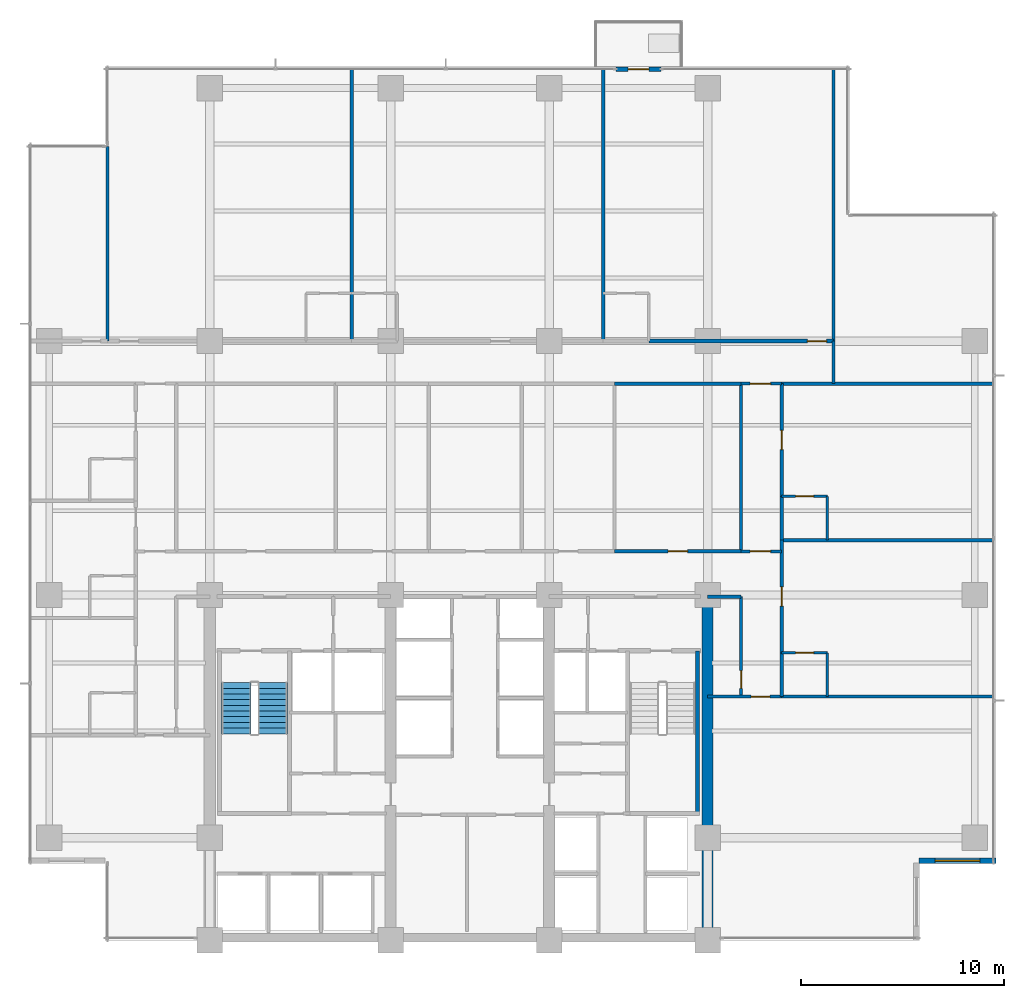
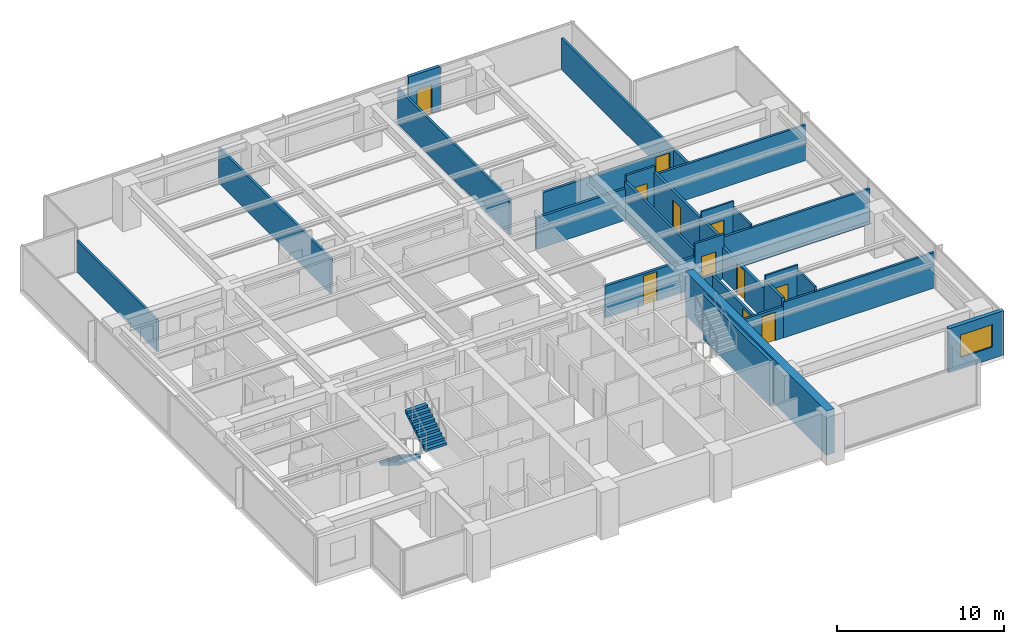
# One storey, part 11 of 17: 29 walls, 11 doors, 2 stair flights, 1 window, 12 openings, 1 element without a shape of its own.
"""IFC4 building model written with IfcOpenShell, lengths in metres."""

from ifc_helpers import new_model, si_unit, direction, frame, frame_2d, origin, place, context, subcontext, project, spatial, polyline, rectangle, outline, extrude, material, layer, layer_set, type_object, element, fill, aggregate, save


model = new_model("IFC4")

# Units and contexts
model_context = context("Model", 3, precision=1e-05, world=origin(), true_north=direction((0.0, 1.0)))
body_context = subcontext(model_context, "Body", "Model", "MODEL_VIEW")
ifc_project = project(units=[si_unit("LENGTHUNIT", "METRE"), si_unit("AREAUNIT", "SQUARE_METRE"), si_unit("VOLUMEUNIT", "CUBIC_METRE"), si_unit("PLANEANGLEUNIT", "RADIAN"), si_unit("MASSUNIT", "GRAM", prefix="KILO")], contexts=[model_context])

# Site, building, storey
site_placement = place(None, origin())
site = spatial("IfcSite", under=ifc_project, at=site_placement, CompositionType="ELEMENT")
building_placement = place(site_placement, origin())
building = spatial("IfcBuilding", under=site, at=building_placement, Name="Qalmaran Belvedere Hotel", CompositionType="ELEMENT")
storey_placement = place(building_placement, frame((0.0, 0.0, 112.699951171875)))
storey = spatial("IfcBuildingStorey", under=building, at=storey_placement, Name="L28", CompositionType="ELEMENT", Elevation=112.699951171875)

# Wall, opening, door
ifc_material_1 = material(Name="Anodised Bronze Cladding")
ifc_layer_1 = layer(ifc_material_1, 0.22509765625, Name="Anodised Bronze Cladding")
ifc_layer_set_1 = layer_set([ifc_layer_1], Name="Anodised Bronze Cladding")
wall_type_1 = type_object("IfcWallType", Name="WL-BAL-PORT-225", PredefinedType="SOLIDWALL", material=ifc_layer_set_1)
wall_1_placement = place(storey_placement, frame((40.300048828125, 46.3798828125, 0.0), z_axis=(0.0, 0.0, 1.0), x_axis=(1.0, 0.0, 0.0)))
wall_1 = element("IfcWall", 1, at=wall_1_placement, inside=storey, type_object=wall_type_1, Name="L28 Tree Balcony Door Portal", PredefinedType="SOLIDWALL", context=body_context, shape_type="SweptSolid", body=[
    extrude(rectangle(XDim=2.199951171875, YDim=0.22509765625, at=frame_2d((1.10009765625, 0.0))), origin(), (0.0, 0.0, 1.0), 3.239990234375),
])
opening_1_placement = place(wall_1_placement, frame((0.590087890625, 0.0, 0.0)))
opening_1 = element("IfcOpeningElement", 2, at=opening_1_placement, cuts=wall_1, Name="Opening BL-102", PredefinedType="OPENING", context=body_context, shape_type="SweptSolid", body=[
    extrude(rectangle(XDim=1.02001953125, YDim=2.10009765625, at=frame_2d((0.510009765625, 1.050048828125))), frame((0.0, 0.12255859375, 0.0), z_axis=(0.0, -1.0, 0.0), x_axis=(1.0, 0.0, 0.0)), (0.0, 0.0, 1.0), 0.2451171875),
])
ifc_material_2 = material(Name="Anodised Bronze Aluminium", Category="aluminium")
door_type_1 = type_object("IfcDoorType", Name="DR-BAL-1020X2100", OperationType="NOTDEFINED", PredefinedType="DOOR", material=ifc_material_2)
door_1_placement = place(opening_1_placement, origin())
door_1 = element("IfcDoor", 3, at=door_1_placement, inside=storey, type_object=door_type_1, Name="L28 Planted Tree Balcony Door", OperationType="SINGLE_SWING_LEFT", OverallHeight=2.10009765625, OverallWidth=1.02001953125, PredefinedType="DOOR", context=body_context, shape_type="SweptSolid", body=[
    extrude(rectangle(XDim=1.02001953125, YDim=2.10009765625, at=frame_2d((0.510009765625, 1.050048828125))), frame((0.0, 0.02490234375, 0.0), z_axis=(0.0, -1.0, 0.0), x_axis=(1.0, 0.0, 0.0)), (0.0, 0.0, 1.0), 0.050048828125),
])
fill(opening_1, door_1)

# Wall
ifc_material_3 = material(Name="Concrete C60/75", Category="concrete")
ifc_layer_2 = layer(ifc_material_3, 0.550048828125, Name="Concrete C60/75")
ifc_layer_set_2 = layer_set([ifc_layer_2], Name="Concrete C60/75")
wall_type_2 = type_object("IfcWallType", Name="WL-CORE-550-C60", PredefinedType="SHEAR", material=ifc_layer_set_2)
wall_2_placement = place(storey_placement, frame((44.800048828125, 3.5, 0.0), z_axis=(0.0, 0.0, 1.0), x_axis=(0.0, 1.0, 0.0)))
element("IfcWall", 4, at=wall_2_placement, inside=storey, type_object=wall_type_2, Name="L28 East Core Shear Wall", PredefinedType="SHEAR", context=body_context, shape_type="SweptSolid", body=[
    extrude(rectangle(XDim=16.89990234375, YDim=0.550048828125, at=frame_2d((8.449951171875, 0.0))), origin(), (0.0, 0.0, 1.0), 3.239990234375),
])

# Wall, opening, window
ifc_layer_3 = layer(ifc_material_1, 0.280029296875, Name="Anodised Bronze Cladding")
ifc_layer_set_3 = layer_set([ifc_layer_3], Name="Anodised Bronze Cladding")
wall_type_3 = type_object("IfcWallType", Name="WL-EXT-BRNZ-280", PredefinedType="SOLIDWALL", material=ifc_layer_set_3)
wall_3_placement = place(storey_placement, frame((55.199951171875, 7.419921875, 0.0), z_axis=(0.0, 0.0, 1.0), x_axis=(1.0, 0.0, 0.0)))
wall_3 = element("IfcWall", 5, at=wall_3_placement, inside=storey, type_object=wall_type_3, Name="L28 Corner Notch Wall 2", PredefinedType="SOLIDWALL", context=body_context, shape_type="SweptSolid", body=[
    extrude(rectangle(XDim=3.800048828125, YDim=0.280029296875, at=frame_2d((1.89990234375, 0.0))), origin(), (0.0, 0.0, 1.0), 3.239990234375),
])
opening_2_placement = place(wall_3_placement, frame((0.800048828125, 0.0, 0.85009765625)))
opening_2 = element("IfcOpeningElement", 6, at=opening_2_placement, cuts=wall_3, Name="Opening W-N22", PredefinedType="OPENING", context=body_context, shape_type="SweptSolid", body=[
    extrude(rectangle(XDim=2.199951171875, YDim=1.64990234375, at=frame_2d((1.10009765625, 0.824951171875))), frame((0.0, 0.14990234375, 0.0), z_axis=(0.0, -1.0, 0.0), x_axis=(1.0, 0.0, 0.0)), (0.0, 0.0, 1.0), 0.300048828125),
])
ifc_material_4 = material(Name="Solar-Control Double Glazing", Category="glass")
window_type = type_object("IfcWindowType", Name="WN-NTC-2200X1650", PartitioningType="SINGLE_PANEL", PredefinedType="WINDOW", material=ifc_material_4)
window_placement = place(opening_2_placement, origin())
window = element("IfcWindow", 7, at=window_placement, inside=storey, type_object=window_type, Name="L28 Corner Notch Window 2", OverallHeight=1.64990234375, OverallWidth=2.199951171875, PartitioningType="SINGLE_PANEL", PredefinedType="WINDOW", context=body_context, shape_type="SweptSolid", body=[
    extrude(rectangle(XDim=2.199951171875, YDim=1.64990234375, at=frame_2d((1.10009765625, 0.824951171875))), frame((0.0, 0.030029296875, 0.0), z_axis=(0.0, -1.0, 0.0), x_axis=(1.0, 0.0, 0.0)), (0.0, 0.0, 1.0), 0.06005859375),
])
fill(opening_2, window)

# Wall, opening, door
ifc_material_5 = material(Name="Moisture-Resistant Gypsum")
ifc_layer_4 = layer(ifc_material_5, 0.1201171875, Name="Moisture-Resistant Gypsum")
ifc_layer_set_4 = layer_set([ifc_layer_4], Name="Moisture-Resistant Gypsum")
wall_type_4 = type_object("IfcWallType", Name="WL-INT-120-BATH", PredefinedType="PARTITIONING", material=ifc_layer_set_4)
wall_4_placement = place(storey_placement, frame((48.449951171875, 17.64990234375, 0.0), z_axis=(0.0, 0.0, 1.0), x_axis=(1.0, 0.0, 0.0)))
wall_4 = element("IfcWall", 8, at=wall_4_placement, inside=storey, type_object=wall_type_4, Name="L28 Partition WL-L28-EBN00", PredefinedType="PARTITIONING", context=body_context, shape_type="SweptSolid", body=[
    extrude(rectangle(XDim=2.25, YDim=0.1201171875, at=frame_2d((1.125, 0.0))), origin(), (0.0, 0.0, 1.0), 3.239990234375),
])
opening_3_placement = place(wall_4_placement, frame((1.56494140625, 0.0, 0.0), z_axis=(0.0, 0.0, 1.0), x_axis=(-1.0, 0.0, 0.0)))
opening_3 = element("IfcOpeningElement", 9, at=opening_3_placement, cuts=wall_4, Name="Opening D-BATH", PredefinedType="OPENING", context=body_context, shape_type="SweptSolid", body=[
    extrude(rectangle(XDim=0.8798828125, YDim=2.080078125, at=frame_2d((0.43994140625, 1.0400390625))), frame((0.0, 0.070068359375, 0.0), z_axis=(0.0, -1.0, 0.0), x_axis=(1.0, 0.0, 0.0)), (0.0, 0.0, 1.0), 0.14013671875),
])
ifc_material_6 = material(Name="Engineered Oak Veneer")
door_type_2 = type_object("IfcDoorType", Name="DR-INT-BATH-880X2080", OperationType="NOTDEFINED", PredefinedType="DOOR", material=ifc_material_6)
door_2_placement = place(opening_3_placement, origin())
door_2 = element("IfcDoor", 10, at=door_2_placement, inside=storey, type_object=door_type_2, Name="L28 E Ensuite Door 01", OperationType="SINGLE_SWING_RIGHT", OverallHeight=2.080078125, OverallWidth=0.8798828125, PredefinedType="DOOR", context=body_context, shape_type="SweptSolid", body=[
    extrude(rectangle(XDim=0.8798828125, YDim=2.080078125, at=frame_2d((0.43994140625, 1.0400390625))), frame((0.0, 0.02490234375, 0.0), z_axis=(0.0, -1.0, 0.0), x_axis=(1.0, 0.0, 0.0)), (0.0, 0.0, 1.0), 0.050048828125),
])
fill(opening_3, door_2)

# Wall
wall_5_placement = place(storey_placement, frame((50.699951171875, 15.5, 0.0), z_axis=(0.0, 0.0, 1.0), x_axis=(0.0, 1.0, 0.0)))
element("IfcWall", 11, at=wall_5_placement, inside=storey, type_object=wall_type_4, Name="L28 Partition WL-L28-EBS00", PredefinedType="PARTITIONING", context=body_context, shape_type="SweptSolid", body=[
    extrude(rectangle(XDim=2.14990234375, YDim=0.1201171875, at=frame_2d((1.074951171875, 0.0))), origin(), (0.0, 0.0, 1.0), 2.922119140625),
])

# Wall, opening, door
wall_6_placement = place(storey_placement, frame((48.449951171875, 25.35009765625, 0.0), z_axis=(0.0, 0.0, 1.0), x_axis=(1.0, 0.0, 0.0)))
wall_6 = element("IfcWall", 12, at=wall_6_placement, inside=storey, type_object=wall_type_4, Name="L28 Partition WL-L28-EBN01", PredefinedType="PARTITIONING", context=body_context, shape_type="SweptSolid", body=[
    extrude(rectangle(XDim=2.25, YDim=0.1201171875, at=frame_2d((1.125, 0.0))), origin(), (0.0, 0.0, 1.0), 3.239990234375),
])
opening_4_placement = place(wall_6_placement, frame((1.56494140625, 0.0, 0.0), z_axis=(0.0, 0.0, 1.0), x_axis=(-1.0, 0.0, 0.0)))
opening_4 = element("IfcOpeningElement", 13, at=opening_4_placement, cuts=wall_6, Name="Opening D-BATH", PredefinedType="OPENING", context=body_context, shape_type="SweptSolid", body=[
    extrude(rectangle(XDim=0.8798828125, YDim=2.080078125, at=frame_2d((0.43994140625, 1.0400390625))), frame((0.0, 0.070068359375, 0.0), z_axis=(0.0, -1.0, 0.0), x_axis=(1.0, 0.0, 0.0)), (0.0, 0.0, 1.0), 0.14013671875),
])
door_3_placement = place(opening_4_placement, origin())
door_3 = element("IfcDoor", 14, at=door_3_placement, inside=storey, type_object=door_type_2, Name="L28 E Ensuite Door 02", OperationType="SINGLE_SWING_RIGHT", OverallHeight=2.080078125, OverallWidth=0.8798828125, PredefinedType="DOOR", context=body_context, shape_type="SweptSolid", body=[
    extrude(rectangle(XDim=0.8798828125, YDim=2.080078125, at=frame_2d((0.43994140625, 1.0400390625))), frame((0.0, 0.02490234375, 0.0), z_axis=(0.0, -1.0, 0.0), x_axis=(1.0, 0.0, 0.0)), (0.0, 0.0, 1.0), 0.050048828125),
])
fill(opening_4, door_3)

# Wall
wall_7_placement = place(storey_placement, frame((50.699951171875, 23.199951171875, 0.0), z_axis=(0.0, 0.0, 1.0), x_axis=(0.0, 1.0, 0.0)))
element("IfcWall", 15, at=wall_7_placement, inside=storey, type_object=wall_type_4, Name="L28 Partition WL-L28-EBS01", PredefinedType="PARTITIONING", context=body_context, shape_type="SweptSolid", body=[
    extrude(rectangle(XDim=2.150146484375, YDim=0.1201171875, at=frame_2d((1.0751953125, 0.0))), origin(), (0.0, 0.0, 1.0), 2.818115234375),
])

# Wall, opening, door
ifc_material_7 = material(Name="Gypsum Stud Partition")
ifc_layer_5 = layer(ifc_material_7, 0.14990234375, Name="Gypsum Stud Partition")
ifc_layer_set_5 = layer_set([ifc_layer_5], Name="Gypsum Stud Partition")
wall_type_5 = type_object("IfcWallType", Name="WL-INT-150-EI60", PredefinedType="PARTITIONING", material=ifc_layer_set_5)
wall_8_placement = place(storey_placement, frame((46.449951171875, 22.64990234375, 0.0), z_axis=(0.0, 0.0, 1.0), x_axis=(1.0, 0.0, 0.0)))
wall_8 = element("IfcWall", 16, at=wall_8_placement, inside=storey, type_object=wall_type_5, Name="L28 Partition WL-L28-XCE1", PredefinedType="PARTITIONING", context=body_context, shape_type="SweptSolid", body=[
    extrude(rectangle(XDim=2.0, YDim=0.14990234375, at=frame_2d((1.0, 0.0))), origin(), (0.0, 0.0, 1.0), 3.239990234375),
])
opening_5_placement = place(wall_8_placement, frame((0.449951171875, 0.0, 0.0)))
opening_5 = element("IfcOpeningElement", 17, at=opening_5_placement, cuts=wall_8, Name="Opening FD90B", PredefinedType="OPENING", context=body_context, shape_type="SweptSolid", body=[
    extrude(rectangle(XDim=1.0, YDim=2.14990234375, at=frame_2d((0.5, 1.074951171875))), frame((0.0, 0.0849609375, 0.0), z_axis=(0.0, -1.0, 0.0), x_axis=(1.0, 0.0, 0.0)), (0.0, 0.0, 1.0), 0.169921875),
])
ifc_material_8 = material(Name="Steel S355JR", Category="steel")
door_type_3 = type_object("IfcDoorType", Name="DR-FD90B-1000X2150", OperationType="NOTDEFINED", PredefinedType="DOOR", material=ifc_material_8)
door_4_placement = place(opening_5_placement, origin())
door_4 = element("IfcDoor", 18, at=door_4_placement, inside=storey, type_object=door_type_3, Name="L28 East Corridor Smoke Door S", OperationType="SINGLE_SWING_LEFT", OverallHeight=2.14990234375, OverallWidth=1.0, PredefinedType="DOOR", context=body_context, shape_type="SweptSolid", body=[
    extrude(rectangle(XDim=1.0, YDim=2.14990234375, at=frame_2d((0.5, 1.074951171875))), frame((0.0, 0.02490234375, 0.0), z_axis=(0.0, -1.0, 0.0), x_axis=(1.0, 0.0, 0.0)), (0.0, 0.0, 1.0), 0.050048828125),
])
fill(opening_5, door_4)

wall_9_placement = place(storey_placement, frame((46.449951171875, 30.89990234375, 0.0), z_axis=(0.0, 0.0, 1.0), x_axis=(1.0, 0.0, 0.0)))
wall_9 = element("IfcWall", 19, at=wall_9_placement, inside=storey, type_object=wall_type_5, Name="L28 Partition WL-L28-XCE2", PredefinedType="PARTITIONING", context=body_context, shape_type="SweptSolid", body=[
    extrude(rectangle(XDim=2.0, YDim=0.14990234375, at=frame_2d((1.0, 0.0))), origin(), (0.0, 0.0, 1.0), 3.239990234375),
])
opening_6_placement = place(wall_9_placement, frame((0.449951171875, 0.0, 0.0)))
opening_6 = element("IfcOpeningElement", 20, at=opening_6_placement, cuts=wall_9, Name="Opening FD90B", PredefinedType="OPENING", context=body_context, shape_type="SweptSolid", body=[
    extrude(rectangle(XDim=1.0, YDim=2.14990234375, at=frame_2d((0.5, 1.074951171875))), frame((0.0, 0.0849609375, 0.0), z_axis=(0.0, -1.0, 0.0), x_axis=(1.0, 0.0, 0.0)), (0.0, 0.0, 1.0), 0.169921875),
])
door_5_placement = place(opening_6_placement, origin())
door_5 = element("IfcDoor", 21, at=door_5_placement, inside=storey, type_object=door_type_3, Name="L28 East Corridor Smoke Door N", OperationType="SINGLE_SWING_RIGHT", OverallHeight=2.14990234375, OverallWidth=1.0, PredefinedType="DOOR", context=body_context, shape_type="SweptSolid", body=[
    extrude(rectangle(XDim=1.0, YDim=2.14990234375, at=frame_2d((0.5, 1.074951171875))), frame((0.0, 0.02490234375, 0.0), z_axis=(0.0, -1.0, 0.0), x_axis=(1.0, 0.0, 0.0)), (0.0, 0.0, 1.0), 0.050048828125),
])
fill(opening_6, door_5)

ifc_layer_6 = layer(ifc_material_7, 0.159912109375, Name="Gypsum Stud Partition")
ifc_layer_set_6 = layer_set([ifc_layer_6], Name="Gypsum Stud Partition")
wall_type_6 = type_object("IfcWallType", Name="WL-INT-160-EI60", PredefinedType="PARTITIONING", material=ifc_layer_set_6)
wall_10_placement = place(storey_placement, frame((44.800048828125, 15.5, 0.0), z_axis=(0.0, 0.0, 1.0), x_axis=(1.0, 0.0, 0.0)))
wall_10 = element("IfcWall", 22, at=wall_10_placement, inside=storey, type_object=wall_type_6, Name="L28 Partition WL-L28-SERL", PredefinedType="PARTITIONING", context=body_context, shape_type="SweptSolid", body=[
    extrude(rectangle(XDim=3.64990234375, YDim=0.159912109375, at=frame_2d((1.824951171875, 0.0))), origin(), (0.0, 0.0, 1.0), 2.31298828125),
])
opening_7_placement = place(wall_10_placement, frame((3.06982421875, 0.0, 0.0), z_axis=(0.0, 0.0, 1.0), x_axis=(-1.0, 0.0, 0.0)))
opening_7 = element("IfcOpeningElement", 23, at=opening_7_placement, cuts=wall_10, Name="Opening FD60S1", PredefinedType="OPENING", context=body_context, shape_type="SweptSolid", body=[
    extrude(rectangle(XDim=0.919921875, YDim=2.080078125, at=frame_2d((0.4599609375, 1.0400390625))), frame((0.0, 0.08984375, 0.0), z_axis=(0.0, -1.0, 0.0), x_axis=(1.0, 0.0, 0.0)), (0.0, 0.0, 1.0), 0.179931640625),
])
door_type_4 = type_object("IfcDoorType", Name="DR-FD60S-920X2080", OperationType="NOTDEFINED", PredefinedType="DOOR", material=ifc_material_6)
door_6_placement = place(opening_7_placement, origin())
door_6 = element("IfcDoor", 24, at=door_6_placement, inside=storey, type_object=door_type_4, Name="L28 SE Lounge Door", OperationType="SINGLE_SWING_RIGHT", OverallHeight=2.080078125, OverallWidth=0.919921875, PredefinedType="DOOR", context=body_context, shape_type="SweptSolid", body=[
    extrude(rectangle(XDim=0.919921875, YDim=2.080078125, at=frame_2d((0.4599609375, 1.0400390625))), frame((0.0, 0.02490234375, 0.0), z_axis=(0.0, -1.0, 0.0), x_axis=(1.0, 0.0, 0.0)), (0.0, 0.0, 1.0), 0.050048828125),
])
fill(opening_7, door_6)

wall_11_placement = place(storey_placement, frame((46.449951171875, 15.5, 0.0), z_axis=(0.0, 0.0, 1.0), x_axis=(0.0, 1.0, 0.0)))
wall_11 = element("IfcWall", 25, at=wall_11_placement, inside=storey, type_object=wall_type_6, Name="L28 Partition WL-L28-ECL", PredefinedType="PARTITIONING", context=body_context, shape_type="SweptSolid", body=[
    extrude(rectangle(XDim=4.919921875, YDim=0.159912109375, at=frame_2d((2.4599609375, 0.0))), origin(), (0.0, 0.0, 1.0), 2.31298828125),
])
opening_8_placement = place(wall_11_placement, frame((0.39990234375, 0.0, 0.0)))
opening_8 = element("IfcOpeningElement", 26, at=opening_8_placement, cuts=wall_11, Name="Opening FD60B", PredefinedType="OPENING", context=body_context, shape_type="SweptSolid", body=[
    extrude(rectangle(XDim=0.8798828125, YDim=2.080078125, at=frame_2d((0.43994140625, 1.0400390625))), frame((0.0, 0.08984375, 0.0), z_axis=(0.0, -1.0, 0.0), x_axis=(1.0, 0.0, 0.0)), (0.0, 0.0, 1.0), 0.179931640625),
])
door_type_5 = type_object("IfcDoorType", Name="DR-FD60B-880X2080", OperationType="NOTDEFINED", PredefinedType="DOOR", material=ifc_material_8)
door_7_placement = place(opening_8_placement, origin())
door_7 = element("IfcDoor", 27, at=door_7_placement, inside=storey, type_object=door_type_5, Name="L28 East Closet Door", OperationType="SINGLE_SWING_RIGHT", OverallHeight=2.080078125, OverallWidth=0.8798828125, PredefinedType="DOOR", context=body_context, shape_type="SweptSolid", body=[
    extrude(rectangle(XDim=0.8798828125, YDim=2.080078125, at=frame_2d((0.43994140625, 1.0400390625))), frame((0.0, 0.02490234375, 0.0), z_axis=(0.0, -1.0, 0.0), x_axis=(1.0, 0.0, 0.0)), (0.0, 0.0, 1.0), 0.050048828125),
])
fill(opening_8, door_7)

# Walls
wall_12_placement = place(storey_placement, frame((44.800048828125, 20.419921875, 0.0), z_axis=(0.0, 0.0, 1.0), x_axis=(1.0, 0.0, 0.0)))
element("IfcWall", 28, at=wall_12_placement, inside=storey, type_object=wall_type_6, Name="L28 Partition WL-L28-ECLN", PredefinedType="PARTITIONING", context=body_context, shape_type="SweptSolid", body=[
    extrude(rectangle(XDim=1.64990234375, YDim=0.159912109375, at=frame_2d((0.824951171875, 0.0))), origin(), (0.0, 0.0, 1.0), 2.31298828125),
])
wall_13_placement = place(storey_placement, frame((51.0, 30.89990234375, 0.0), z_axis=(0.0, 0.0, 1.0), x_axis=(0.0, 1.0, 0.0)))
element("IfcWall", 29, at=wall_13_placement, inside=storey, type_object=wall_type_6, Name="L28 Partition WL-L28-NCGE", PredefinedType="PARTITIONING", context=body_context, shape_type="SweptSolid", body=[
    extrude(rectangle(XDim=2.10009765625, YDim=0.159912109375, at=frame_2d((1.050048828125, 0.0))), origin(), (0.0, 0.0, 1.0), 2.31298828125),
])
wall_14_placement = place(storey_placement, frame((46.449951171875, 22.64990234375, 0.0), z_axis=(0.0, 0.0, 1.0), x_axis=(0.0, 1.0, 0.0)))
element("IfcWall", 30, at=wall_14_placement, inside=storey, type_object=wall_type_6, Name="L28 Partition WL-L28-MIDVR5", PredefinedType="PARTITIONING", context=body_context, shape_type="SweptSolid", body=[
    extrude(rectangle(XDim=8.25, YDim=0.159912109375, at=frame_2d((4.125, 0.0))), origin(), (0.0, 0.0, 1.0), 2.818115234375),
])
wall_15_placement = place(storey_placement, frame((15.27001953125, 33.0, 0.0), z_axis=(0.0, 0.0, 1.0), x_axis=(0.0, 1.0, 0.0)))
element("IfcWall", 31, at=wall_15_placement, inside=storey, type_object=wall_type_6, Name="L28 Partition WL-L28-NUL", PredefinedType="PARTITIONING", context=body_context, shape_type="SweptSolid", body=[
    extrude(rectangle(XDim=9.580078125, YDim=0.159912109375, at=frame_2d((4.7900390625, 0.0))), origin(), (0.0, 0.0, 1.0), 2.31298828125),
])
for number, where, z_axis, x_axis, name in (
    (32, (27.285400390625, 33.0, 0.0), (0.0, 0.0, 1.0), (0.0, 1.0, 0.0), "L28 Partition WL-L28-NUR00"),
    (33, (39.664794921875, 33.0, 0.0), (0.0, 0.0, 1.0), (0.0, 1.0, 0.0), "L28 Partition WL-L28-NUR01"),
):
    element("IfcWall", number, at=place(storey_placement, frame(where, z_axis=z_axis, x_axis=x_axis)), inside=storey, type_object=wall_type_6, Name=name, PredefinedType="PARTITIONING", context=body_context, shape_type="SweptSolid", body=[
        extrude(rectangle(XDim=13.3798828125, YDim=0.159912109375, at=frame_2d((6.68994140625, 0.0))), origin(), (0.0, 0.0, 1.0), 2.60302734375),
    ])
wall_16_placement = place(storey_placement, frame((51.0, 33.0, 0.0), z_axis=(0.0, 0.0, 1.0), x_axis=(0.0, 1.0, 0.0)))
element("IfcWall", 34, at=wall_16_placement, inside=storey, type_object=wall_type_6, Name="L28 Partition WL-L28-NUR02", PredefinedType="PARTITIONING", context=body_context, shape_type="SweptSolid", body=[
    extrude(rectangle(XDim=13.3798828125, YDim=0.159912109375, at=frame_2d((6.68994140625, 0.0))), origin(), (0.0, 0.0, 1.0), 2.31298828125),
])
for number, where, z_axis, x_axis, name in (
    (35, (48.449951171875, 15.5, 0.0), (0.0, 0.0, 1.0), (1.0, 0.0, 0.0), "L28 Partition WL-L28-EBOT"),
    (36, (48.449951171875, 23.199951171875, 0.0), (0.0, 0.0, 1.0), (1.0, 0.0, 0.0), "L28 Partition WL-L28-EU00"),
    (37, (48.449951171875, 30.89990234375, 0.0), (0.0, 0.0, 1.0), (1.0, 0.0, 0.0), "L28 Partition WL-L28-EU01"),
):
    element("IfcWall", number, at=place(storey_placement, frame(where, z_axis=z_axis, x_axis=x_axis)), inside=storey, type_object=wall_type_6, Name=name, PredefinedType="PARTITIONING", context=body_context, shape_type="SweptSolid", body=[
        extrude(rectangle(XDim=10.429931640625, YDim=0.159912109375, at=frame_2d((5.21484375, 0.0))), origin(), (0.0, 0.0, 1.0), 2.60302734375),
    ])

# Wall, opening, door
ifc_layer_7 = layer(ifc_material_7, 0.179931640625, Name="Gypsum Stud Partition")
ifc_layer_set_7 = layer_set([ifc_layer_7], Name="Gypsum Stud Partition")
wall_type_7 = type_object("IfcWallType", Name="WL-INT-180-EI60", PredefinedType="PARTITIONING", material=ifc_layer_set_7)
wall_17_placement = place(storey_placement, frame((40.22509765625, 22.64990234375, 0.0), z_axis=(0.0, 0.0, 1.0), x_axis=(1.0, 0.0, 0.0)))
wall_17 = element("IfcWall", 38, at=wall_17_placement, inside=storey, type_object=wall_type_7, Name="L28 Partition WL-L28-MIDD5", PredefinedType="PARTITIONING", context=body_context, shape_type="SweptSolid", body=[
    extrude(rectangle(XDim=6.224853515625, YDim=0.179931640625, at=frame_2d((3.1123046875, 0.0))), origin(), (0.0, 0.0, 1.0), 2.31298828125),
])
opening_9_placement = place(wall_17_placement, frame((2.637451171875, 0.0, 0.0)))
opening_9 = element("IfcOpeningElement", 39, at=opening_9_placement, cuts=wall_17, Name="Opening FD60", PredefinedType="OPENING", context=body_context, shape_type="SweptSolid", body=[
    extrude(rectangle(XDim=0.949951171875, YDim=2.14990234375, at=frame_2d((0.47509765625, 1.074951171875))), frame((0.0, 0.10009765625, 0.0), z_axis=(0.0, -1.0, 0.0), x_axis=(1.0, 0.0, 0.0)), (0.0, 0.0, 1.0), 0.199951171875),
])
door_type_6 = type_object("IfcDoorType", Name="DR-FD60-950X2150", OperationType="NOTDEFINED", PredefinedType="DOOR", material=ifc_material_6)
door_8_placement = place(opening_9_placement, origin())
door_8 = element("IfcDoor", 40, at=door_8_placement, inside=storey, type_object=door_type_6, Name="L28 Library Door", OperationType="SINGLE_SWING_LEFT", OverallHeight=2.14990234375, OverallWidth=0.949951171875, PredefinedType="DOOR", context=body_context, shape_type="SweptSolid", body=[
    extrude(rectangle(XDim=0.949951171875, YDim=2.14990234375, at=frame_2d((0.47509765625, 1.074951171875))), frame((0.0, 0.02490234375, 0.0), z_axis=(0.0, -1.0, 0.0), x_axis=(1.0, 0.0, 0.0)), (0.0, 0.0, 1.0), 0.050048828125),
])
fill(opening_9, door_8)

# Wall
wall_18_placement = place(storey_placement, frame((40.22509765625, 30.89990234375, 0.0), z_axis=(0.0, 0.0, 1.0), x_axis=(1.0, 0.0, 0.0)))
element("IfcWall", 41, at=wall_18_placement, inside=storey, type_object=wall_type_7, Name="L28 Partition WL-L28-MIDO5", PredefinedType="PARTITIONING", context=body_context, shape_type="SweptSolid", body=[
    extrude(rectangle(XDim=6.224853515625, YDim=0.179931640625, at=frame_2d((3.1123046875, 0.0))), origin(), (0.0, 0.0, 1.0), 2.31298828125),
])

# Wall, opening, door
wall_19_placement = place(storey_placement, frame((41.914794921875, 33.0, 0.0), z_axis=(0.0, 0.0, 1.0), x_axis=(1.0, 0.0, 0.0)))
wall_19 = element("IfcWall", 42, at=wall_19_placement, inside=storey, type_object=wall_type_7, Name="L28 Partition WL-L28-NEC02", PredefinedType="PARTITIONING", context=body_context, shape_type="SweptSolid", body=[
    extrude(rectangle(XDim=9.085205078125, YDim=0.179931640625, at=frame_2d((4.54248046875, 0.0))), origin(), (0.0, 0.0, 1.0), 2.31298828125),
])
opening_10_placement = place(wall_19_placement, frame((7.796875, 0.0, 0.0)))
opening_10 = element("IfcOpeningElement", 43, at=opening_10_placement, cuts=wall_19, Name="Opening FD60", PredefinedType="OPENING", context=body_context, shape_type="SweptSolid", body=[
    extrude(rectangle(XDim=0.949951171875, YDim=2.14990234375, at=frame_2d((0.47509765625, 1.074951171875))), frame((0.0, 0.10009765625, 0.0), z_axis=(0.0, -1.0, 0.0), x_axis=(1.0, 0.0, 0.0)), (0.0, 0.0, 1.0), 0.199951171875),
])
door_9_placement = place(opening_10_placement, origin())
door_9 = element("IfcDoor", 44, at=door_9_placement, inside=storey, type_object=door_type_6, Name="L28 Guest Entrance Door N03", OperationType="SINGLE_SWING_LEFT", OverallHeight=2.14990234375, OverallWidth=0.949951171875, PredefinedType="DOOR", context=body_context, shape_type="SweptSolid", body=[
    extrude(rectangle(XDim=0.949951171875, YDim=2.14990234375, at=frame_2d((0.47509765625, 1.074951171875))), frame((0.0, 0.02490234375, 0.0), z_axis=(0.0, -1.0, 0.0), x_axis=(1.0, 0.0, 0.0)), (0.0, 0.0, 1.0), 0.050048828125),
])
fill(opening_10, door_9)

# Wall
wall_20_placement = place(storey_placement, frame((48.449951171875, 15.5, 0.0), z_axis=(0.0, 0.0, 1.0), x_axis=(0.0, 1.0, 0.0)))
element("IfcWall", 45, at=wall_20_placement, inside=storey, type_object=wall_type_7, Name="L28 Partition WL-L28-EBC00", PredefinedType="PARTITIONING", context=body_context, shape_type="SweptSolid", body=[
    extrude(rectangle(XDim=2.14990234375, YDim=0.179931640625, at=frame_2d((1.074951171875, 0.0))), origin(), (0.0, 0.0, 1.0), 2.922119140625),
])

# Wall, opening, door
wall_21_placement = place(storey_placement, frame((48.449951171875, 17.64990234375, 0.0), z_axis=(0.0, 0.0, 1.0), x_axis=(0.0, 1.0, 0.0)))
wall_21 = element("IfcWall", 46, at=wall_21_placement, inside=storey, type_object=wall_type_7, Name="L28 Partition WL-L28-EEC00", PredefinedType="PARTITIONING", context=body_context, shape_type="SweptSolid", body=[
    extrude(rectangle(XDim=5.550048828125, YDim=0.179931640625, at=frame_2d((2.77490234375, 0.0))), origin(), (0.0, 0.0, 1.0), 2.31298828125),
])
opening_11_placement = place(wall_21_placement, frame((3.25, 0.0, 0.0), z_axis=(0.0, 0.0, 1.0), x_axis=(-1.0, 0.0, 0.0)))
opening_11 = element("IfcOpeningElement", 47, at=opening_11_placement, cuts=wall_21, Name="Opening FD60", PredefinedType="OPENING", context=body_context, shape_type="SweptSolid", body=[
    extrude(rectangle(XDim=0.949951171875, YDim=2.14990234375, at=frame_2d((0.47509765625, 1.074951171875))), frame((0.0, 0.10009765625, 0.0), z_axis=(0.0, -1.0, 0.0), x_axis=(1.0, 0.0, 0.0)), (0.0, 0.0, 1.0), 0.199951171875),
])
door_10_placement = place(opening_11_placement, origin())
door_10 = element("IfcDoor", 48, at=door_10_placement, inside=storey, type_object=door_type_6, Name="L28 E Wing Door 01", OperationType="SINGLE_SWING_LEFT", OverallHeight=2.14990234375, OverallWidth=0.949951171875, PredefinedType="DOOR", context=body_context, shape_type="SweptSolid", body=[
    extrude(rectangle(XDim=0.949951171875, YDim=2.14990234375, at=frame_2d((0.47509765625, 1.074951171875))), frame((0.0, 0.02490234375, 0.0), z_axis=(0.0, -1.0, 0.0), x_axis=(1.0, 0.0, 0.0)), (0.0, 0.0, 1.0), 0.050048828125),
])
fill(opening_11, door_10)

# Wall
wall_22_placement = place(storey_placement, frame((48.449951171875, 23.199951171875, 0.0), z_axis=(0.0, 0.0, 1.0), x_axis=(0.0, 1.0, 0.0)))
element("IfcWall", 49, at=wall_22_placement, inside=storey, type_object=wall_type_7, Name="L28 Partition WL-L28-EBC01", PredefinedType="PARTITIONING", context=body_context, shape_type="SweptSolid", body=[
    extrude(rectangle(XDim=2.150146484375, YDim=0.179931640625, at=frame_2d((1.0751953125, 0.0))), origin(), (0.0, 0.0, 1.0), 2.818115234375),
])

# Wall, opening, door
wall_23_placement = place(storey_placement, frame((48.449951171875, 25.35009765625, 0.0), z_axis=(0.0, 0.0, 1.0), x_axis=(0.0, 1.0, 0.0)))
wall_23 = element("IfcWall", 50, at=wall_23_placement, inside=storey, type_object=wall_type_7, Name="L28 Partition WL-L28-EEC01", PredefinedType="PARTITIONING", context=body_context, shape_type="SweptSolid", body=[
    extrude(rectangle(XDim=5.5498046875, YDim=0.179931640625, at=frame_2d((2.77490234375, 0.0))), origin(), (0.0, 0.0, 1.0), 2.818115234375),
])
opening_12_placement = place(wall_23_placement, frame((3.25, 0.0, 0.0), z_axis=(0.0, 0.0, 1.0), x_axis=(-1.0, 0.0, 0.0)))
opening_12 = element("IfcOpeningElement", 51, at=opening_12_placement, cuts=wall_23, Name="Opening FD60", PredefinedType="OPENING", context=body_context, shape_type="SweptSolid", body=[
    extrude(rectangle(XDim=0.949951171875, YDim=2.14990234375, at=frame_2d((0.47509765625, 1.074951171875))), frame((0.0, 0.10009765625, 0.0), z_axis=(0.0, -1.0, 0.0), x_axis=(1.0, 0.0, 0.0)), (0.0, 0.0, 1.0), 0.199951171875),
])
door_11_placement = place(opening_12_placement, origin())
door_11 = element("IfcDoor", 52, at=door_11_placement, inside=storey, type_object=door_type_6, Name="L28 E Wing Door 02", OperationType="SINGLE_SWING_LEFT", OverallHeight=2.14990234375, OverallWidth=0.949951171875, PredefinedType="DOOR", context=body_context, shape_type="SweptSolid", body=[
    extrude(rectangle(XDim=0.949951171875, YDim=2.14990234375, at=frame_2d((0.47509765625, 1.074951171875))), frame((0.0, 0.02490234375, 0.0), z_axis=(0.0, -1.0, 0.0), x_axis=(1.0, 0.0, 0.0)), (0.0, 0.0, 1.0), 0.050048828125),
])
fill(opening_12, door_11)

# Wall
ifc_material_9 = material(Name="Concrete C50/60", Category="concrete")
ifc_layer_8 = layer(ifc_material_9, 0.2099609375, Name="Concrete C50/60")
ifc_layer_set_8 = layer_set([ifc_layer_8], Name="Concrete C50/60")
wall_type_8 = type_object("IfcWallType", Name="WL-STAIR-210-C50", PredefinedType="SHEAR", material=ifc_layer_set_8)
wall_24_placement = place(storey_placement, frame((44.304931640625, 9.7451171875, 0.0), z_axis=(0.0, 0.0, 1.0), x_axis=(0.0, 1.0, 0.0)))
element("IfcWall", 53, at=wall_24_placement, inside=storey, type_object=wall_type_8, Name="L28 Stair ST-2 East Bearing Wall", PredefinedType="SHEAR", context=body_context, shape_type="SweptSolid", body=[
    extrude(rectangle(XDim=8.009765625, YDim=0.2099609375, at=frame_2d((4.0048828125, 0.0))), origin(), (0.0, 0.0, 1.0), 3.239990234375),
])

# Stair, stair flights
ifc_material_10 = material(Name="Concrete C40/50", Category="concrete")
stair_type = type_object("IfcStairType", Name="STR-ST-1-1450-R1750", PredefinedType="HALF_TURN_STAIR", material=ifc_material_10)
stair_placement = place(storey_placement, origin())
stair = element("IfcStair", 54, at=stair_placement, inside=storey, type_object=stair_type, Name="L28 West Core Exit Stair ST-1", PredefinedType="HALF_TURN_STAIR")
ifc_layer_9 = layer(ifc_material_10, 0.14990234375, Name="Concrete C40/50")
ifc_layer_set_9 = layer_set([ifc_layer_9], Name="Concrete C40/50")
stair_flight_type = type_object("IfcStairFlightType", Name="STF-ST-1-1450-R1750", PredefinedType="STRAIGHT", material=ifc_layer_set_9)
stair_flight_1_placement = place(storey_placement, frame((21.60498046875, 16.18994140625, 0.0), z_axis=(0.0, 0.0, 1.0), x_axis=(0.0, -1.0, 0.0)))
stair_flight_1 = element("IfcStairFlight", 55, at=stair_flight_1_placement, type_object=stair_flight_type, Name="ST-1 flight 1", NumberOfRisers=10, NumberOfTreads=9, PredefinedType="STRAIGHT", RiserHeight=0.175, TreadLength=0.28, context=body_context, shape_type="SweptSolid", body=[
    extrude(outline(polyline([(0.0, 0.0), (0.0, 0.175048828125), (0.280029296875, 0.175048828125), (0.280029296875, 0.35009765625), (0.56005859375, 0.35009765625), (0.56005859375, 0.52490234375), (0.840087890625, 0.52490234375), (0.840087890625, 0.699951171875), (1.1201171875, 0.699951171875), (1.1201171875, 0.875), (1.39990234375, 0.875), (1.39990234375, 1.050048828125), (1.679931640625, 1.050048828125), (1.679931640625, 1.22509765625), (1.9599609375, 1.22509765625), (1.9599609375, 1.39990234375), (2.239990234375, 1.39990234375), (2.239990234375, 1.574951171875), (2.52001953125, 1.574951171875), (2.52001953125, 1.75), (2.52001953125, 1.398193359375), (0.28271484375, 0.0), (0.0, 0.0)])), frame((0.0, 0.72509765625, 0.0), z_axis=(0.0, -1.0, 0.0), x_axis=(1.0, 0.0, 0.0)), (0.0, 0.0, 1.0), 1.449951171875),
])
stair_flight_2_placement = place(storey_placement, frame((23.39501953125, 13.669921875, 1.75), z_axis=(0.0, 0.0, 1.0), x_axis=(0.0, 1.0, 0.0)))
stair_flight_2 = element("IfcStairFlight", 56, at=stair_flight_2_placement, type_object=stair_flight_type, Name="ST-1 flight 2", NumberOfRisers=10, NumberOfTreads=9, PredefinedType="STRAIGHT", RiserHeight=0.175, TreadLength=0.28, context=body_context, shape_type="SweptSolid", body=[
    extrude(outline(polyline([(0.0, 0.0), (0.0, 0.175048828125), (0.280029296875, 0.175048828125), (0.280029296875, 0.35009765625), (0.56005859375, 0.35009765625), (0.56005859375, 0.52490234375), (0.840087890625, 0.52490234375), (0.840087890625, 0.699951171875), (1.1201171875, 0.699951171875), (1.1201171875, 0.875), (1.39990234375, 0.875), (1.39990234375, 1.050048828125), (1.679931640625, 1.050048828125), (1.679931640625, 1.22509765625), (1.9599609375, 1.22509765625), (1.9599609375, 1.39990234375), (2.239990234375, 1.39990234375), (2.239990234375, 1.574951171875), (2.52001953125, 1.574951171875), (2.52001953125, 1.75), (2.52001953125, 1.398193359375), (0.28271484375, 0.0), (0.0, 0.0)])), frame((0.0, 0.72509765625, 0.0), z_axis=(0.0, -1.0, 0.0), x_axis=(1.0, 0.0, 0.0)), (0.0, 0.0, 1.0), 1.449951171875),
])
aggregate(stair, [stair_flight_1, stair_flight_2])

save(model, "model.ifc")
